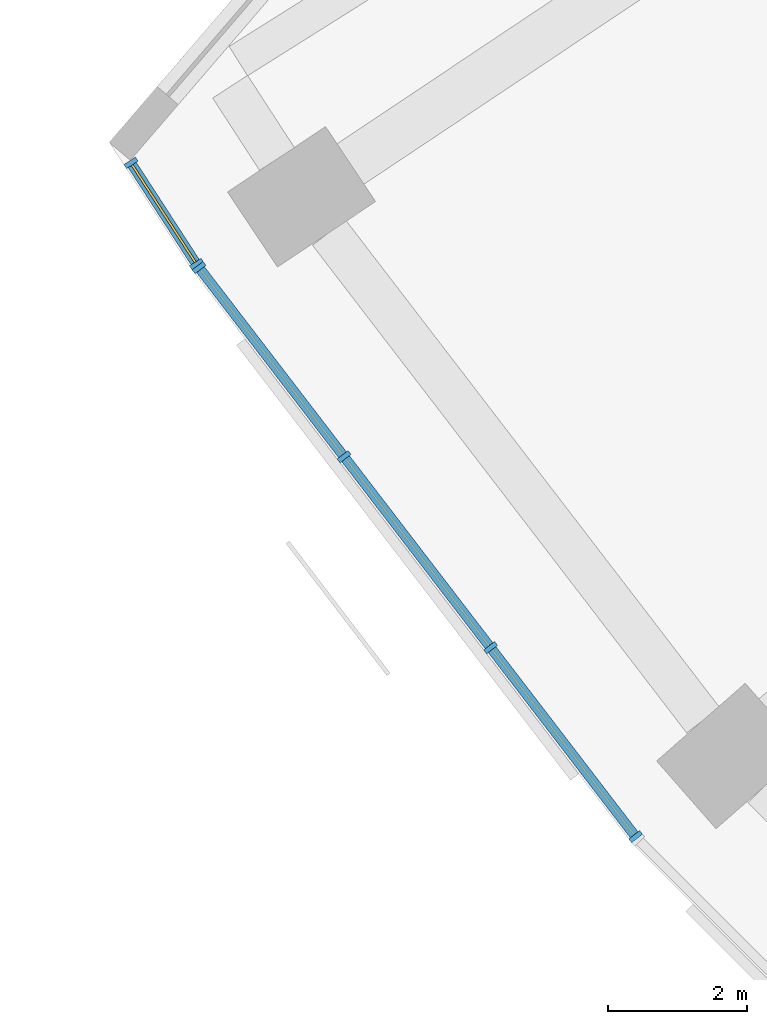
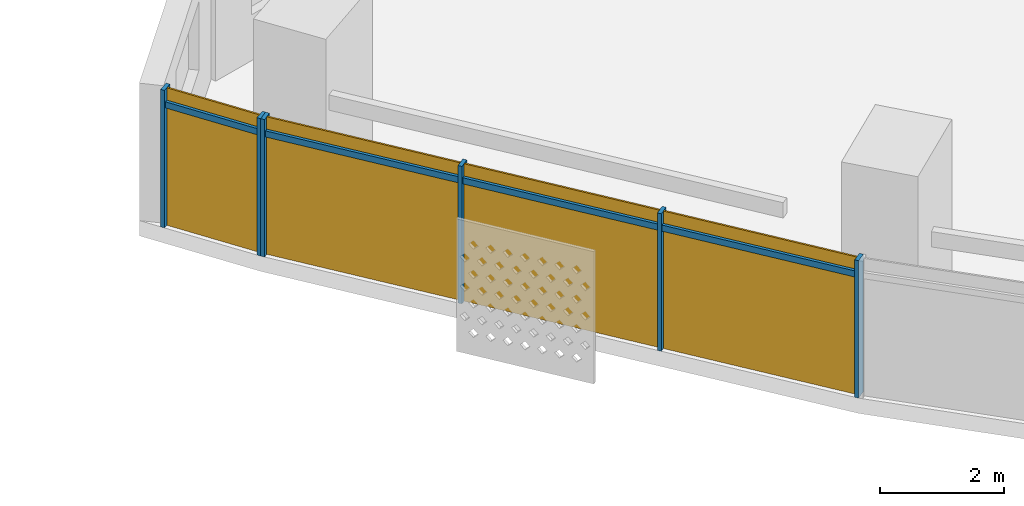
# One storey, part 20 of 31: 10 members, 2 curtain walls.
"""IFC4 building model written with IfcOpenShell, lengths in metres."""

import ifcopenshell
import ifcopenshell.guid

model = None  # the IFC model being written
_history = None  # IfcOwnerHistory: only IFC2X3 demands one
_inside = {}  # id of a spatial element -> (the spatial element, [elements in it])
_under = {}  # id of a project, library or spatial element -> (it, [spatial elements below it])
_declared = {}  # id of a project -> (the project, [libraries it declares])
_typed = {}  # id of a type object -> (the type object, [elements of that type])
_made_of = {}  # id of a material, layer set ... -> (it, [elements and type objects made of it])


def new_model(schema):
    """Start an empty IFC model of exactly this schema.

    Asked for "IFC4X3", IfcOpenShell would pick the latest addendum, in which some entities
    have other attributes; the version numbers below select the first issue.
    IFC2X3 requires an IfcOwnerHistory on every rooted entity: one is made here for all.
    """
    global model, _history
    if schema == "IFC4X3":
        model = ifcopenshell.file(schema_version=(4, 3, 0, 0))
    else:
        model = ifcopenshell.file(schema=schema)
    _inside.clear()
    _under.clear()
    _declared.clear()
    _typed.clear()
    _made_of.clear()
    _history = None
    if model.schema == "IFC2X3":
        org = make("IfcOrganization", Name="unknown")
        user = make(
            "IfcPersonAndOrganization",
            ThePerson=make("IfcPerson", FamilyName="unknown"),
            TheOrganization=org,
        )
        app = make(
            "IfcApplication",
            ApplicationDeveloper=org,
            Version="unknown",
            ApplicationFullName="unknown",
            ApplicationIdentifier="unknown",
        )
        _history = make(
            "IfcOwnerHistory",
            OwningUser=user,
            OwningApplication=app,
            ChangeAction="ADDED",
            CreationDate=0,
        )
    return model


def make(cls, **values):
    """One entity of the class cls with the attributes given. An attribute that is None is left unset."""
    return model.create_entity(
        cls, **{name: value for name, value in values.items() if value is not None}
    )


def rooted(cls, **values):
    """An entity with a GlobalId (a new one), such as an element, a storey or a relation."""
    return make(cls, GlobalId=ifcopenshell.guid.new(), OwnerHistory=_history, **values)


def si_unit(unit_type, name, prefix=None):
    """IfcSIUnit, for example si_unit("LENGTHUNIT", "METRE", prefix="MILLI")."""
    return make("IfcSIUnit", UnitType=unit_type, Prefix=prefix, Name=name)


def assignment(units):
    """IfcUnitAssignment: the units of a project."""
    return None if units is None else make("IfcUnitAssignment", Units=units)


def point(xyz):
    """IfcCartesianPoint."""
    return None if xyz is None else make("IfcCartesianPoint", Coordinates=xyz)


def direction(xyz):
    """IfcDirection."""
    return None if xyz is None else make("IfcDirection", DirectionRatios=xyz)


def frame(location, z_axis=None, x_axis=None):
    """IfcAxis2Placement3D, a coordinate frame: its origin and axes. An axis left out is left unset."""
    return make(
        "IfcAxis2Placement3D",
        Location=point(location),
        Axis=direction(z_axis),
        RefDirection=direction(x_axis),
    )


def frame_2d(location, x_axis=None):
    """IfcAxis2Placement2D, a coordinate frame in the plane: its origin and x axis."""
    return make(
        "IfcAxis2Placement2D", Location=point(location), RefDirection=direction(x_axis)
    )


def origin():
    """The frame at (0, 0, 0) with its axes left unset."""
    return frame((0.0, 0.0, 0.0))


def origin_2d():
    """The frame at (0, 0) in the plane with its x axis left unset."""
    return frame_2d((0.0, 0.0))


def place(relative_to, where):
    """IfcLocalPlacement: puts the frame where relative to a parent placement (None: the world)."""
    return make(
        "IfcLocalPlacement", PlacementRelTo=relative_to, RelativePlacement=where
    )


def context(
    kind, dimensions, precision=None, world=None, true_north=None, identifier=None
):
    """IfcGeometricRepresentationContext, for example the 3D "Model" context."""
    return make(
        "IfcGeometricRepresentationContext",
        ContextIdentifier=identifier,
        ContextType=kind,
        CoordinateSpaceDimension=dimensions,
        Precision=precision,
        WorldCoordinateSystem=world,
        TrueNorth=true_north,
    )


def subcontext(parent, identifier, kind, view, scale=None):
    """IfcGeometricRepresentationSubContext, for example "Body" below "Model"."""
    return make(
        "IfcGeometricRepresentationSubContext",
        ContextIdentifier=identifier,
        ContextType=kind,
        ParentContext=parent,
        TargetScale=scale,
        TargetView=view,
    )


def project(units=None, contexts=None):
    """IfcProject with its units and contexts."""
    return rooted(
        "IfcProject",
        Name="project",
        RepresentationContexts=contexts,
        UnitsInContext=assignment(units),
    )


def spatial(cls, under=None, at=None, **own):
    """A site, building, storey or space (cls), placed at a placement, below another one or the project."""
    s = rooted(cls, ObjectPlacement=at, **own)
    if under is not None:
        _under.setdefault(under.id(), (under, []))[1].append(s)
    return s


def profile(cls, at=None, kind="AREA", **sizes):
    """A parametric profile (cls). Its sizes go by their IFC names, for example OverallWidth=200.0."""
    return make(cls, ProfileType=kind, Position=at, **sizes)


def rectangle(**sizes):
    """IfcRectangleProfileDef."""
    return profile("IfcRectangleProfileDef", **sizes)


def extrude(swept, where, along, depth):
    """IfcExtrudedAreaSolid: the profile swept, set in the frame where, extruded along a direction by depth."""
    return make(
        "IfcExtrudedAreaSolid",
        SweptArea=swept,
        Position=where,
        ExtrudedDirection=direction(along),
        Depth=depth,
    )


def shape(context_of_items, identifier, shape_type, items):
    """IfcShapeRepresentation: the items that make up one representation, for example the "Body"."""
    return make(
        "IfcShapeRepresentation",
        ContextOfItems=context_of_items,
        RepresentationIdentifier=identifier,
        RepresentationType=shape_type,
        Items=items,
    )


def material(Name=None, Category=None):
    """IfcMaterial."""
    return make("IfcMaterial", Name=Name, Category=Category)


def material_profile(
    of_material, cross_section, Name=None, Category=None, Priority=None
):
    """IfcMaterialProfile: a cross section and its material."""
    return make(
        "IfcMaterialProfile",
        Name=Name,
        Material=of_material,
        Profile=cross_section,
        Priority=Priority,
        Category=Category,
    )


def profile_set(profiles, Name=None, composite=None):
    """IfcMaterialProfileSet."""
    return make(
        "IfcMaterialProfileSet",
        Name=Name,
        MaterialProfiles=profiles,
        CompositeProfile=composite,
    )


def made_of(thing, what):
    """Note that an element or type object is made of a material, layer set ...; save() writes the relation."""
    if what is not None:
        _made_of.setdefault(what.id(), (what, []))[1].append(thing)
    return thing


def type_object(cls, material=None, **own):
    """A type object (cls), such as IfcWallType, which elements share."""
    return made_of(rooted(cls, **own), material)


def element(
    cls,
    number,
    at=None,
    inside=None,
    cuts=None,
    type_object=None,
    material=None,
    context=None,
    identifier="Body",
    shape_type=None,
    held_by="IfcProductDefinitionShape",
    body=None,
    shapes=None,
    **own,
):
    """One element of the class cls, such as IfcWall. Its Tag is "e" and its number.

    at: its placement. inside: the storey or other place that contains it. cuts: it is an
    opening in that element (IfcRelVoidsElement). A single representation is given by context,
    identifier, shape_type and body (its items); several are given by shapes. held_by: the class
    of the entity that holds the representations. save() writes the other relations.
    """
    e = rooted(cls, Tag="e%d" % number, ObjectPlacement=at, **own)
    if body is not None:
        shapes = [shape(context, identifier, shape_type, body)]
    if shapes is not None:
        e.Representation = make(held_by, Representations=shapes)
    if inside is not None:
        _inside.setdefault(inside.id(), (inside, []))[1].append(e)
    if cuts is not None:
        rooted(
            "IfcRelVoidsElement", RelatingBuildingElement=cuts, RelatedOpeningElement=e
        )
    if type_object is not None:
        _typed.setdefault(type_object.id(), (type_object, []))[1].append(e)
    return made_of(e, material)


def aggregate(whole, parts):
    """IfcRelAggregates: a whole, such as a stair, and the parts it consists of."""
    return rooted("IfcRelAggregates", RelatingObject=whole, RelatedObjects=parts)


def save(model, path):
    """Write the relations noted so far, then the file.

    IfcRelAggregates (storeys below a building ...), IfcRelContainedInSpatialStructure (elements
    in a storey), IfcRelDefinesByType, IfcRelAssociatesMaterial and IfcRelDeclares: one each for
    every whole, place, type object, material and project.
    """
    for whole, parts in _under.values():
        aggregate(whole, parts)
    for where, things in _inside.values():
        rooted(
            "IfcRelContainedInSpatialStructure",
            RelatedElements=things,
            RelatingStructure=where,
        )
    for kind, things in _typed.values():
        rooted("IfcRelDefinesByType", RelatedObjects=things, RelatingType=kind)
    for what, things in _made_of.values():
        rooted("IfcRelAssociatesMaterial", RelatedObjects=things, RelatingMaterial=what)
    for by, libraries in _declared.values():
        rooted("IfcRelDeclares", RelatingContext=by, RelatedDefinitions=libraries)
    model.write(path)


model = new_model("IFC4")

# Units and contexts
model_context = context("Model", 3, precision=1e-05, world=origin(), true_north=direction((0.0, 1.0)))
body_context = subcontext(model_context, "Body", "Model", "MODEL_VIEW")
ifc_project = project(units=[si_unit("LENGTHUNIT", "METRE"), si_unit("AREAUNIT", "SQUARE_METRE"), si_unit("VOLUMEUNIT", "CUBIC_METRE"), si_unit("PLANEANGLEUNIT", "RADIAN"), si_unit("MASSUNIT", "GRAM", prefix="KILO")], contexts=[model_context])

# Member
ifc_material = material(Name="Aluminium 6063-T6 anodised", Category="aluminium")
ifc_material_profile_1 = material_profile(ifc_material, rectangle(XDim=0.199951171875, YDim=0.070068359375, at=origin_2d()))
ifc_profile_set_1 = profile_set([ifc_material_profile_1], Name="Aluminium 6063-T6 anodised")
member_type_1 = type_object("IfcMemberType", Name="Mullion 70 x 200 aluminium", PredefinedType="MULLION", material=ifc_profile_set_1)
site_placement = place(None, origin())
building_placement = place(site_placement, origin())
storey_placement = place(building_placement, frame((0.0, 0.0, 51.89990234375)))
member_1_placement = place(storey_placement, frame((-67.1083984375, -42.707275390625, 0.0), z_axis=(0.0, 0.0, 1.0), x_axis=(0.839046620581, 0.544059526607, 0.0)))
member_1 = element("IfcMember", 1, at=member_1_placement, type_object=member_type_1, Name="e-cw1-L09-out00/M00", PredefinedType="MULLION", context=body_context, shape_type="SweptSolid", body=[
    extrude(rectangle(XDim=0.199951171875, YDim=0.070068359375, at=origin_2d()), origin(), (0.0, 0.0, 1.0), 2.7001953125),
])

member_2_placement = place(storey_placement, frame((-66.16162109375, -44.16748046875, 0.0), z_axis=(0.0, 0.0, 1.0), x_axis=(0.839046620581, 0.544059526607, 0.0)))
member_2 = element("IfcMember", 2, at=member_2_placement, type_object=member_type_1, Name="e-cw1-L09-out00/M01", PredefinedType="MULLION", context=body_context, shape_type="SweptSolid", body=[
    extrude(rectangle(XDim=0.199951171875, YDim=0.070068359375, at=origin_2d()), origin(), (0.0, 0.0, 1.0), 2.7001953125),
])

member_3_placement = place(storey_placement, frame((-66.1259765625, -44.218017578125, 0.0), z_axis=(0.0, 0.0, 1.0), x_axis=(0.793353340291, 0.608761429009, 0.0)))
member_3 = element("IfcMember", 3, at=member_3_placement, type_object=member_type_1, Name="e-cw1-L09-out01/M00", PredefinedType="MULLION", context=body_context, shape_type="SweptSolid", body=[
    extrude(rectangle(XDim=0.199951171875, YDim=0.070068359375, at=origin_2d()), origin(), (0.0, 0.0, 1.0), 2.7001953125),
])

member_4_placement = place(storey_placement, frame((-64.032958984375, -46.945556640625, 0.0), z_axis=(0.0, 0.0, 1.0), x_axis=(0.793353340291, 0.608761429009, 0.0)))
member_4 = element("IfcMember", 4, at=member_4_placement, type_object=member_type_1, Name="e-cw1-L09-out01/M01", PredefinedType="MULLION", context=body_context, shape_type="SweptSolid", body=[
    extrude(rectangle(XDim=0.199951171875, YDim=0.070068359375, at=origin_2d()), origin(), (0.0, 0.0, 1.0), 2.7001953125),
])

member_5_placement = place(storey_placement, frame((-61.9189453125, -49.70068359375, 0.0), z_axis=(0.0, 0.0, 1.0), x_axis=(0.793353340291, 0.608761429009, 0.0)))
member_5 = element("IfcMember", 5, at=member_5_placement, type_object=member_type_1, Name="e-cw1-L09-out01/M02", PredefinedType="MULLION", context=body_context, shape_type="SweptSolid", body=[
    extrude(rectangle(XDim=0.199951171875, YDim=0.070068359375, at=origin_2d()), origin(), (0.0, 0.0, 1.0), 2.7001953125),
])

member_6_placement = place(storey_placement, frame((-59.825927734375, -52.42822265625, 0.0), z_axis=(0.0, 0.0, 1.0), x_axis=(0.793353340291, 0.608761429009, 0.0)))
member_6 = element("IfcMember", 6, at=member_6_placement, type_object=member_type_1, Name="e-cw1-L09-out01/M03", PredefinedType="MULLION", context=body_context, shape_type="SweptSolid", body=[
    extrude(rectangle(XDim=0.199951171875, YDim=0.070068359375, at=origin_2d()), origin(), (0.0, 0.0, 1.0), 2.7001953125),
])

ifc_material_profile_2 = material_profile(ifc_material, rectangle(XDim=0.139892578125, YDim=0.1201171875, at=origin_2d()))
ifc_profile_set_2 = profile_set([ifc_material_profile_2], Name="Aluminium 6063-T6 anodised")
member_type_2 = type_object("IfcMemberType", Name="Transom 120 x 140 aluminium", PredefinedType="USERDEFINED", material=ifc_profile_set_2)
member_7_placement = place(storey_placement, frame((-67.08935546875, -42.736572265625, 2.400146484375), z_axis=(0.544063186293, -0.839044247534, 0.0), x_axis=(0.839044247534, 0.544063186293, 0.0)))
member_7 = element("IfcMember", 7, at=member_7_placement, type_object=member_type_2, Name="e-cw1-L09-out00/T00", ObjectType="TRANSOM", PredefinedType="USERDEFINED", context=body_context, shape_type="SweptSolid", body=[
    extrude(rectangle(XDim=0.139892578125, YDim=0.1201171875, at=origin_2d()), origin(), (0.0, 0.0, 1.0), 1.670166015625),
])

member_8_placement = place(storey_placement, frame((-66.1044921875, -44.245849609375, 2.400146484375), z_axis=(0.608732839803, -0.793375276742, 0.0), x_axis=(0.793375276742, 0.608732839803, 0.0)))
member_8 = element("IfcMember", 8, at=member_8_placement, type_object=member_type_2, Name="e-cw1-L09-out01/T00", ObjectType="TRANSOM", PredefinedType="USERDEFINED", context=body_context, shape_type="SweptSolid", body=[
    extrude(rectangle(XDim=0.139892578125, YDim=0.1201171875, at=origin_2d()), origin(), (0.0, 0.0, 1.0), 3.36767578125),
])

member_9_placement = place(storey_placement, frame((-64.01171875, -46.973388671875, 2.400146484375), z_axis=(0.60875683052, -0.793356868815, 0.0), x_axis=(0.793356868815, 0.60875683052, 0.0)))
member_9 = element("IfcMember", 9, at=member_9_placement, type_object=member_type_2, Name="e-cw1-L09-out01/T01", ObjectType="TRANSOM", PredefinedType="USERDEFINED", context=body_context, shape_type="SweptSolid", body=[
    extrude(rectangle(XDim=0.139892578125, YDim=0.1201171875, at=origin_2d()), origin(), (0.0, 0.0, 1.0), 3.40283203125),
])

member_10_placement = place(storey_placement, frame((-61.8974609375, -49.728515625, 2.400146484375), z_axis=(0.608732839803, -0.793375276742, 0.0), x_axis=(0.793375276742, 0.608732839803, 0.0)))
member_10 = element("IfcMember", 10, at=member_10_placement, type_object=member_type_2, Name="e-cw1-L09-out01/T02", ObjectType="TRANSOM", PredefinedType="USERDEFINED", context=body_context, shape_type="SweptSolid", body=[
    extrude(rectangle(XDim=0.139892578125, YDim=0.1201171875, at=origin_2d()), origin(), (0.0, 0.0, 1.0), 3.36767578125),
])

# Site, building, storey
site = spatial("IfcSite", under=ifc_project, at=site_placement, CompositionType="ELEMENT")
building = spatial("IfcBuilding", under=site, at=building_placement, Name="Qamariyya Broadcast Tower", CompositionType="ELEMENT")
storey = spatial("IfcBuildingStorey", under=building, at=storey_placement, Name="L09", CompositionType="ELEMENT", Elevation=51.89990234375)

# Curtain wall
curtain_wall_type = type_object("IfcCurtainWallType", Name="Unitised curtain wall, anodised aluminium", PredefinedType="NOTDEFINED", material=ifc_material)
curtain_wall_1_placement = place(storey_placement, origin())
curtain_wall_1 = element("IfcCurtainWall", 11, at=curtain_wall_1_placement, inside=storey, type_object=curtain_wall_type, Name="e-cw1-L09-out00", PredefinedType="NOTDEFINED", context=body_context, shape_type="SweptSolid", body=[
    extrude(rectangle(XDim=1.670166015625, YDim=0.031982421875, at=origin_2d()), frame((-66.635009765625, -43.4375, 0.0), x_axis=(0.54407307817, -0.839037833241, 0.0)), (0.0, 0.0, 1.0), 2.340087890625),
    extrude(rectangle(XDim=1.670166015625, YDim=0.031982421875, at=origin_2d()), frame((-66.635009765625, -43.4375, 2.460205078125), x_axis=(0.54407307817, -0.839037833241, 0.0)), (0.0, 0.0, 1.0), 0.239990234375),
])

aggregate(curtain_wall_1, [member_1, member_2, member_7])

curtain_wall_2_placement = place(storey_placement, origin())
curtain_wall_2 = element("IfcCurtainWall", 12, at=curtain_wall_2_placement, inside=storey, type_object=curtain_wall_type, Name="e-cw1-L09-out01", PredefinedType="NOTDEFINED", context=body_context, shape_type="SweptSolid", body=[
    extrude(rectangle(XDim=3.367919921875, YDim=0.031982421875, at=origin_2d()), frame((-65.07958984375, -45.581787109375, 0.0), x_axis=(0.608755679475, -0.79335775203, 0.0)), (0.0, 0.0, 1.0), 2.340087890625),
    extrude(rectangle(XDim=3.367919921875, YDim=0.031982421875, at=origin_2d()), frame((-65.07958984375, -45.581787109375, 2.460205078125), x_axis=(0.608755679475, -0.79335775203, 0.0)), (0.0, 0.0, 1.0), 0.239990234375),
    extrude(rectangle(XDim=3.40283203125, YDim=0.031982421875, at=origin_2d()), frame((-62.97607421875, -48.3232421875, 0.0), x_axis=(0.608755679475, -0.79335775203, 0.0)), (0.0, 0.0, 1.0), 2.340087890625),
    extrude(rectangle(XDim=3.40283203125, YDim=0.031982421875, at=origin_2d()), frame((-62.97607421875, -48.3232421875, 2.460205078125), x_axis=(0.608755679475, -0.79335775203, 0.0)), (0.0, 0.0, 1.0), 0.239990234375),
    extrude(rectangle(XDim=3.367919921875, YDim=0.031982421875, at=origin_2d()), frame((-60.872314453125, -51.064453125, 0.0), x_axis=(0.608755679475, -0.79335775203, 0.0)), (0.0, 0.0, 1.0), 2.340087890625),
    extrude(rectangle(XDim=3.367919921875, YDim=0.031982421875, at=origin_2d()), frame((-60.872314453125, -51.064453125, 2.460205078125), x_axis=(0.608755679475, -0.79335775203, 0.0)), (0.0, 0.0, 1.0), 0.239990234375),
])

aggregate(curtain_wall_2, [member_3, member_4, member_5, member_6, member_8, member_9, member_10])

save(model, "model.ifc")
